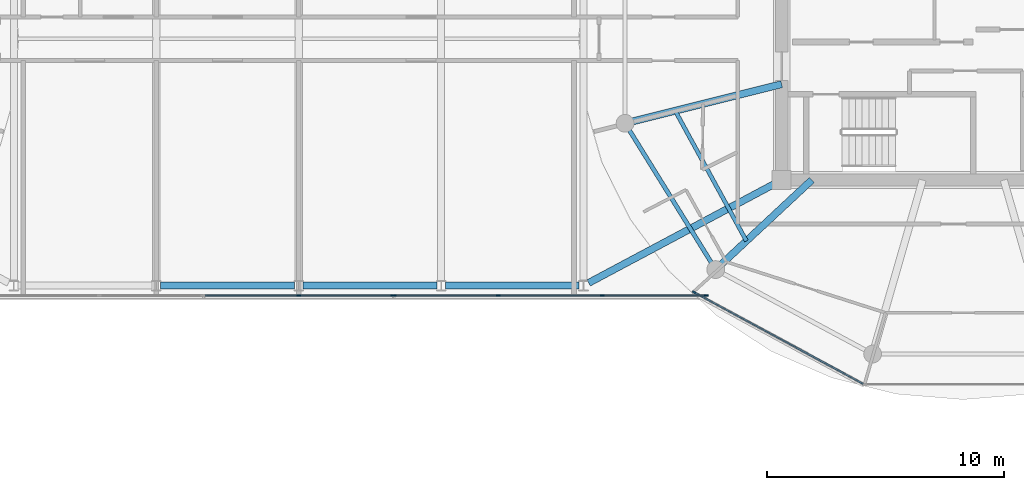
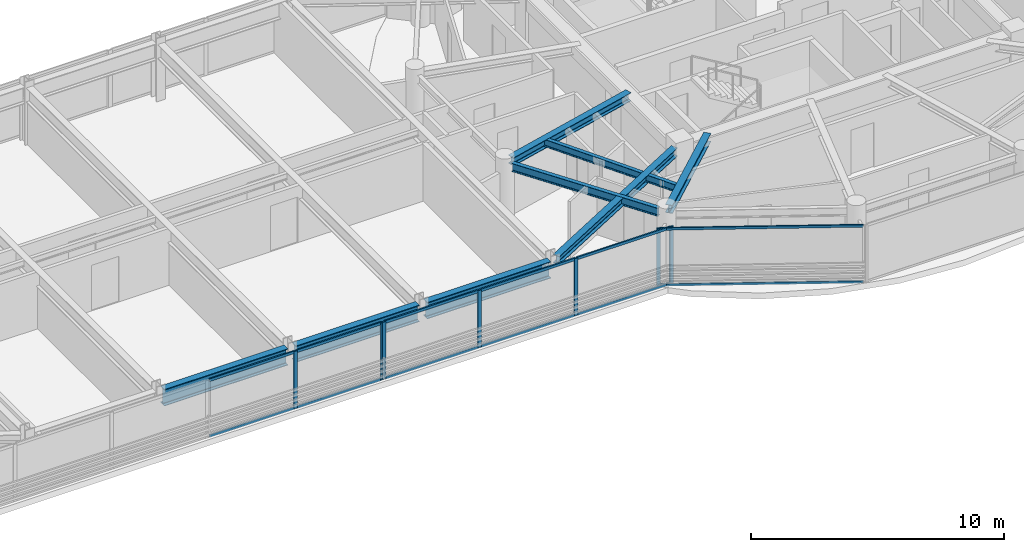
# One storey, part 6 of 24: 19 members, 8 beams, 3 elements without a shape of their own.
"""IFC4 building model written with IfcOpenShell, lengths in metres."""

from ifc_helpers import new_model, si_unit, direction, frame, origin, origin_2d, place, context, subcontext, project, spatial, rectangle, i_section, extrude, source, transform, mapped, material, layer, layer_set, material_profile, profile_set, type_object, type_shapes, element, aggregate, save


model = new_model("IFC4")

# Units and contexts
model_context = context("Model", 3, precision=1e-05, world=origin(), true_north=direction((0.0, 1.0)))
body_context = subcontext(model_context, "Body", "Model", "MODEL_VIEW")
ifc_project = project(units=[si_unit("LENGTHUNIT", "METRE"), si_unit("AREAUNIT", "SQUARE_METRE"), si_unit("VOLUMEUNIT", "CUBIC_METRE"), si_unit("PLANEANGLEUNIT", "RADIAN"), si_unit("MASSUNIT", "GRAM", prefix="KILO")], contexts=[model_context])

# Site, building, storey
site_placement = place(None, origin())
site = spatial("IfcSite", under=ifc_project, at=site_placement, CompositionType="ELEMENT")
building_placement = place(site_placement, origin())
building = spatial("IfcBuilding", under=site, at=building_placement, Name="Norrkilde Senior Care Towers", CompositionType="ELEMENT")
storey_placement = place(building_placement, frame((0.0, 0.0, 223.050048828125)))
storey = spatial("IfcBuildingStorey", under=building, at=storey_placement, Name="L69", CompositionType="ELEMENT", Elevation=223.050048828125)

# Beams
ifc_material_1 = material(Name="Steel S355", Category="steel")
ifc_material_profile_1 = material_profile(ifc_material_1, i_section(OverallWidth=0.179931640625, OverallDepth=0.39990234375, WebThickness=0.008544921875, FlangeThickness=0.013427734375, FilletRadius=0.02099609375, at=origin_2d()), Name="IPE 400")
ifc_profile_set_1 = profile_set([ifc_material_profile_1], Name="Steel S355")
beam_type_1 = type_object("IfcBeamType", Name="Perimeter Ring Spandrel Z4 IPE400", PredefinedType="SPANDREL", material=ifc_profile_set_1)
shared_shape_1 = source(origin(), body_context, "Body", "SweptSolid", [
    extrude(i_section(OverallWidth=0.179931640625, OverallDepth=0.39990234375, WebThickness=0.008544921875, FlangeThickness=0.013427734375, FilletRadius=0.02099609375, at=origin_2d()), origin(), (0.0, 0.0, 1.0), 6.58056640625),
])
type_shapes(beam_type_1, [shared_shape_1])
beam_1_placement = place(storey_placement, frame((13.928955078125, -3.843505859375, 2.56005859375), z_axis=(0.526529583789, -0.850156807533, 0.0), x_axis=(0.850156807533, 0.526529583789, 0.0)))
element("IfcBeam", 1, at=beam_1_placement, inside=storey, type_object=beam_type_1, Name="L69 Drum E Perimeter Spandrel 07", PredefinedType="SPANDREL", context=body_context, shape_type="MappedRepresentation", body=[
    mapped(shared_shape_1, transform((0.0, 0.0, 0.0), x_axis=(1.0, 0.0, 0.0), y_axis=(0.0, 1.0, 0.0), z_axis=(0.0, 0.0, 1.0), scale=1.0)),
])
ifc_material_profile_2 = material_profile(ifc_material_1, i_section(OverallWidth=0.300048828125, OverallDepth=0.39990234375, WebThickness=0.013427734375, FlangeThickness=0.02392578125, FilletRadius=0.027099609375, at=origin_2d()), Name="HEB 400")
ifc_profile_set_2 = profile_set([ifc_material_profile_2], Name="Steel S355")
beam_type_2 = type_object("IfcBeamType", Name="Radial Floor Beam Z4 HEB400", PredefinedType="BEAM", material=ifc_profile_set_2)
shared_shape_2 = source(origin(), body_context, "Body", "SweptSolid", [
    extrude(i_section(OverallWidth=0.300048828125, OverallDepth=0.39990234375, WebThickness=0.013427734375, FlangeThickness=0.02392578125, FilletRadius=0.027099609375, at=origin_2d()), origin(), (0.0, 0.0, 1.0), 6.465087890625),
])
beam_2_placement = place(storey_placement, frame((20.35009765625, -1.910888671875, 2.56005859375), z_axis=(-0.970195788563, -0.242322371758, 0.0), x_axis=(0.242322371758, -0.970195788563, 0.0)))
element("IfcBeam", 2, at=beam_2_placement, inside=storey, type_object=beam_type_2, Name="L69 Drum E Radial Floor Beam 07", PredefinedType="BEAM", context=body_context, shape_type="MappedRepresentation", body=[
    mapped(shared_shape_2, transform((0.0, 0.0, 0.0), x_axis=(1.0, 0.0, 0.0), y_axis=(0.0, 1.0, 0.0), z_axis=(0.0, 0.0, 1.0), scale=1.0)),
])
shared_shape_3 = source(origin(), body_context, "Body", "SweptSolid", [
    extrude(i_section(OverallWidth=0.300048828125, OverallDepth=0.39990234375, WebThickness=0.013427734375, FlangeThickness=0.02392578125, FilletRadius=0.027099609375, at=origin_2d()), origin(), (0.0, 0.0, 1.0), 5.197998046875),
])
beam_3_placement = place(storey_placement, frame((21.6171875, -5.949951171875, 2.56005859375), z_axis=(-0.731448749334, -0.681896419625, 0.0), x_axis=(0.681896419625, -0.731448749334, 0.0)))
element("IfcBeam", 3, at=beam_3_placement, inside=storey, type_object=beam_type_2, Name="L69 Drum E Radial Floor Beam 08", PredefinedType="BEAM", context=body_context, shape_type="MappedRepresentation", body=[
    mapped(shared_shape_3, transform((0.0, 0.0, 0.0), x_axis=(1.0, 0.0, 0.0), y_axis=(0.0, 1.0, 0.0), z_axis=(0.0, 0.0, 1.0), scale=1.0)),
])
ifc_material_profile_3 = material_profile(ifc_material_1, i_section(OverallWidth=0.169921875, OverallDepth=0.360107421875, WebThickness=0.008056640625, FlangeThickness=0.0126953125, FilletRadius=0.01806640625, at=origin_2d()), Name="IPE 360")
ifc_profile_set_3 = profile_set([ifc_material_profile_3], Name="Steel S355")
beam_type_3 = type_object("IfcBeamType", Name="Secondary Floor Joist IPE360", PredefinedType="JOIST", material=ifc_profile_set_3)
shared_shape_4 = source(origin(), body_context, "Body", "SweptSolid", [
    extrude(i_section(OverallWidth=0.169921875, OverallDepth=0.360107421875, WebThickness=0.008056640625, FlangeThickness=0.0126953125, FilletRadius=0.01806640625, at=origin_2d()), origin(), (0.0, 0.0, 1.0), 6.25146484375),
])
type_shapes(beam_type_3, [shared_shape_4])
beam_4_placement = place(storey_placement, frame((15.86376953125, -3.031494140625, 2.579833984375), z_axis=(0.480115752653, -0.877205143655, 0.0), x_axis=(0.877205143655, 0.480115752653, 0.0)))
element("IfcBeam", 4, at=beam_4_placement, inside=storey, type_object=beam_type_3, Name="L69 Drum E Secondary Floor Joist 3", PredefinedType="JOIST", context=body_context, shape_type="MappedRepresentation", body=[
    mapped(shared_shape_4, transform((0.0, 0.0, 0.0), x_axis=(1.0, 0.0, 0.0), y_axis=(0.0, 1.0, 0.0), z_axis=(0.0, 0.0, 1.0), scale=1.0)),
])
shared_shape_5 = source(origin(), body_context, "Body", "SweptSolid", [
    extrude(i_section(OverallWidth=0.300048828125, OverallDepth=0.39990234375, WebThickness=0.013427734375, FlangeThickness=0.02392578125, FilletRadius=0.027099609375, at=origin_2d()), origin(), (0.0, 0.0, 1.0), 8.831787109375),
])
type_shapes(beam_type_2, [shared_shape_2, shared_shape_3, shared_shape_5])
beam_5_placement = place(storey_placement, frame((12.220703125, -10.282470703125, 2.56005859375), z_axis=(0.882492172381, 0.470327083727, 0.0), x_axis=(-0.470327083727, 0.882492172381, 0.0)))
element("IfcBeam", 5, at=beam_5_placement, inside=storey, type_object=beam_type_2, Name="L69 Sky-Gate Bridge Girder S6", PredefinedType="BEAM", context=body_context, shape_type="MappedRepresentation", body=[
    mapped(shared_shape_5, transform((0.0, 0.0, 0.0), x_axis=(1.0, 0.0, 0.0), y_axis=(0.0, 1.0, 0.0), z_axis=(0.0, 0.0, 1.0), scale=1.0)),
])
ifc_material_profile_4 = material_profile(ifc_material_1, i_section(OverallWidth=0.300048828125, OverallDepth=0.800048828125, WebThickness=0.017578125, FlangeThickness=0.032958984375, FilletRadius=0.030029296875, at=origin_2d()), Name="HEB 800")
ifc_profile_set_4 = profile_set([ifc_material_profile_4], Name="Steel S355")
beam_type_4 = type_object("IfcBeamType", Name="Bridge Floor Girder HEB800", PredefinedType="USERDEFINED", material=ifc_profile_set_4)
shared_shape_6 = source(origin(), body_context, "Body", "SweptSolid", [
    extrude(i_section(OverallWidth=0.300048828125, OverallDepth=0.800048828125, WebThickness=0.017578125, FlangeThickness=0.032958984375, FilletRadius=0.030029296875, at=origin_2d()), origin(), (0.0, 0.0, 1.0), 5.64013671875),
])
type_shapes(beam_type_4, [shared_shape_6])
for number, where, z_axis, x_axis, name in (
    (6, (-5.820068359375, -10.39990234375, 2.35986328125), (1.0, 0.0, 0.0), (0.0, 1.0, 0.0), "L69 Sky-Gate Bridge Girder S3"),
    (7, (0.179931640625, -10.39990234375, 2.35986328125), (1.0, 0.0, 0.0), (0.0, 1.0, 0.0), "L69 Sky-Gate Bridge Girder S4"),
    (8, (6.179931640625, -10.39990234375, 2.35986328125), (1.0, 0.0, 0.0), (0.0, 1.0, 0.0), "L69 Sky-Gate Bridge Girder S5"),
):
    element("IfcBeam", number, at=place(storey_placement, frame(where, z_axis=z_axis, x_axis=x_axis)), inside=storey, type_object=beam_type_4, Name=name, ObjectType="GIRDER", PredefinedType="USERDEFINED", context=body_context, shape_type="MappedRepresentation", body=[
        mapped(shared_shape_6, transform((0.0, 0.0, 0.0), x_axis=(1.0, 0.0, 0.0), y_axis=(0.0, 1.0, 0.0), z_axis=(0.0, 0.0, 1.0), scale=1.0)),
    ])

# Curtain wall, members
ifc_material_2 = material(Name="Triple Low-E Insulated Glazing", Category="glass")
ifc_layer_1 = layer(ifc_material_2, 0.18505859375)
ifc_layer_set_1 = layer_set([ifc_layer_1], Name="Triple Low-E Insulated Glazing")
curtain_wall_type_1 = type_object("IfcCurtainWallType", Name="CW6 Zone 4 Crown Pavilion Curtain Wall", PredefinedType="NOTDEFINED", material=ifc_layer_set_1)
curtain_wall_1_placement = place(storey_placement, origin())
curtain_wall_1 = element("IfcCurtainWall", 9, at=curtain_wall_1_placement, inside=storey, type_object=curtain_wall_type_1, Name="L69 Drum E Curtain Wall 07", PredefinedType="NOTDEFINED")
ifc_material_3 = material(Name="Anodised Aluminium", Category="aluminium")
ifc_material_profile_5 = material_profile(ifc_material_3, rectangle(XDim=0.06005859375, YDim=0.1201171875, at=origin_2d()), Name="ALU TRAN 60x120")
ifc_profile_set_5 = profile_set([ifc_material_profile_5], Name="Anodised Aluminium")
member_type_1 = type_object("IfcMemberType", Name="Curtain Wall Transom Typical 60x120", PredefinedType="USERDEFINED", material=ifc_profile_set_5)
shared_shape_7 = source(origin(), body_context, "Body", "SweptSolid", [
    extrude(rectangle(XDim=0.06005859375, YDim=0.1201171875, at=origin_2d()), origin(), (0.0, 0.0, 1.0), 8.0673828125),
])
type_shapes(member_type_1, [shared_shape_7])
member_1_placement = place(storey_placement, frame((23.781005859375, -14.53515625, 0.030029296875), z_axis=(-0.87937750072, 0.476125205411, 0.0), x_axis=(-0.476125205411, -0.87937750072, 0.0)))
member_1 = element("IfcMember", 10, at=member_1_placement, type_object=member_type_1, Name="CW-6 transom 1.1", ObjectType="TRANSOM", PredefinedType="USERDEFINED", context=body_context, shape_type="MappedRepresentation", body=[
    mapped(shared_shape_7, transform((0.0, 0.0, 0.0), x_axis=(1.0, 0.0, 0.0), y_axis=(0.0, 1.0, 0.0), z_axis=(0.0, 0.0, 1.0), scale=1.0)),
])
member_2_placement = place(storey_placement, frame((23.781005859375, -14.53515625, 2.72998046875), z_axis=(-0.87937750072, 0.476125205411, 0.0), x_axis=(-0.476125205411, -0.87937750072, 0.0)))
member_2 = element("IfcMember", 11, at=member_2_placement, type_object=member_type_1, Name="CW-6 transom 1.2", ObjectType="TRANSOM", PredefinedType="USERDEFINED", context=body_context, shape_type="MappedRepresentation", body=[
    mapped(shared_shape_7, transform((0.0, 0.0, 0.0), x_axis=(1.0, 0.0, 0.0), y_axis=(0.0, 1.0, 0.0), z_axis=(0.0, 0.0, 1.0), scale=1.0)),
])
ifc_material_profile_6 = material_profile(ifc_material_3, rectangle(XDim=0.06494140625, YDim=0.14990234375, at=origin_2d()), Name="ALU MULL 65x150")
ifc_profile_set_6 = profile_set([ifc_material_profile_6], Name="Anodised Aluminium")
member_type_2 = type_object("IfcMemberType", Name="Curtain Wall Mullion Z3-Z4 65x150", PredefinedType="MULLION", material=ifc_profile_set_6)
shared_shape_8 = source(origin(), body_context, "Body", "SweptSolid", [
    extrude(rectangle(XDim=0.06494140625, YDim=0.14990234375, at=origin_2d()), origin(), (0.0, 0.0, 1.0), 2.760009765625),
])
type_shapes(member_type_2, [shared_shape_8])
member_3_placement = place(storey_placement, frame((16.658203125, -10.6787109375, 0.0), z_axis=(0.0, 0.0, 1.0), x_axis=(-0.476132676136, -0.879373455772, 0.0)))
member_3 = element("IfcMember", 12, at=member_3_placement, type_object=member_type_2, Name="CW-6 mullion 2", PredefinedType="MULLION", context=body_context, shape_type="MappedRepresentation", body=[
    mapped(shared_shape_8, transform((0.0, 0.0, 0.0), x_axis=(1.0, 0.0, 0.0), y_axis=(0.0, 1.0, 0.0), z_axis=(0.0, 0.0, 1.0), scale=1.0)),
])
aggregate(curtain_wall_1, [member_3, member_1, member_2])

ifc_layer_2 = layer(ifc_material_2, 0.2099609375)
ifc_layer_set_2 = layer_set([ifc_layer_2], Name="Triple Low-E Insulated Glazing")
curtain_wall_type_2 = type_object("IfcCurtainWallType", Name="CW5 Sky-Gate Bridge Curtain Wall", PredefinedType="NOTDEFINED", material=ifc_layer_set_2)
curtain_wall_2_placement = place(storey_placement, origin())
curtain_wall_2 = element("IfcCurtainWall", 13, at=curtain_wall_2_placement, inside=storey, type_object=curtain_wall_type_2, Name="L69 Sky-Gate Bridge South Curtain Wall 1", PredefinedType="NOTDEFINED")
ifc_material_profile_7 = material_profile(ifc_material_3, rectangle(XDim=0.06494140625, YDim=0.1298828125, at=origin_2d()), Name="ALU TRAN 65x130")
ifc_profile_set_7 = profile_set([ifc_material_profile_7], Name="Anodised Aluminium")
member_type_3 = type_object("IfcMemberType", Name="Curtain Wall Transom Heavy 65x130", PredefinedType="USERDEFINED", material=ifc_profile_set_7)
shared_shape_9 = source(origin(), body_context, "Body", "SweptSolid", [
    extrude(rectangle(XDim=0.06494140625, YDim=0.1298828125, at=origin_2d()), origin(), (0.0, 0.0, 1.0), 4.294921875),
])
member_4_placement = place(storey_placement, frame((17.1298828125, -10.820068359375, 0.032470703125), z_axis=(-1.0, 0.0, 0.0), x_axis=(0.0, -1.0, 0.0)))
member_4 = element("IfcMember", 14, at=member_4_placement, type_object=member_type_3, Name="CW-5 transom 1.1", ObjectType="TRANSOM", PredefinedType="USERDEFINED", context=body_context, shape_type="MappedRepresentation", body=[
    mapped(shared_shape_9, transform((0.0, 0.0, 0.0), x_axis=(1.0, 0.0, 0.0), y_axis=(0.0, 1.0, 0.0), z_axis=(0.0, 0.0, 1.0), scale=1.0)),
])
member_5_placement = place(storey_placement, frame((17.1298828125, -10.820068359375, 2.7275390625), z_axis=(-1.0, 0.0, 0.0), x_axis=(0.0, -1.0, 0.0)))
member_5 = element("IfcMember", 15, at=member_5_placement, type_object=member_type_3, Name="CW-5 transom 1.2", ObjectType="TRANSOM", PredefinedType="USERDEFINED", context=body_context, shape_type="MappedRepresentation", body=[
    mapped(shared_shape_9, transform((0.0, 0.0, 0.0), x_axis=(1.0, 0.0, 0.0), y_axis=(0.0, 1.0, 0.0), z_axis=(0.0, 0.0, 1.0), scale=1.0)),
])
member_6_placement = place(storey_placement, frame((8.364990234375, -10.820068359375, 0.032470703125), z_axis=(-1.0, 0.0, 0.0), x_axis=(0.0, -1.0, 0.0)))
member_6 = element("IfcMember", 16, at=member_6_placement, type_object=member_type_3, Name="CW-5 transom 3.1", ObjectType="TRANSOM", PredefinedType="USERDEFINED", context=body_context, shape_type="MappedRepresentation", body=[
    mapped(shared_shape_9, transform((0.0, 0.0, 0.0), x_axis=(1.0, 0.0, 0.0), y_axis=(0.0, 1.0, 0.0), z_axis=(0.0, 0.0, 1.0), scale=1.0)),
])
member_7_placement = place(storey_placement, frame((8.364990234375, -10.820068359375, 2.7275390625), z_axis=(-1.0, 0.0, 0.0), x_axis=(0.0, -1.0, 0.0)))
member_7 = element("IfcMember", 17, at=member_7_placement, type_object=member_type_3, Name="CW-5 transom 3.2", ObjectType="TRANSOM", PredefinedType="USERDEFINED", context=body_context, shape_type="MappedRepresentation", body=[
    mapped(shared_shape_9, transform((0.0, 0.0, 0.0), x_axis=(1.0, 0.0, 0.0), y_axis=(0.0, 1.0, 0.0), z_axis=(0.0, 0.0, 1.0), scale=1.0)),
])
shared_shape_10 = source(origin(), body_context, "Body", "SweptSolid", [
    extrude(rectangle(XDim=0.06494140625, YDim=0.1298828125, at=origin_2d()), origin(), (0.0, 0.0, 1.0), 4.329833984375),
])
member_8_placement = place(storey_placement, frame((12.764892578125, -10.820068359375, 0.032470703125), z_axis=(-1.0, 0.0, 0.0), x_axis=(0.0, -1.0, 0.0)))
member_8 = element("IfcMember", 18, at=member_8_placement, type_object=member_type_3, Name="CW-5 transom 2.1", ObjectType="TRANSOM", PredefinedType="USERDEFINED", context=body_context, shape_type="MappedRepresentation", body=[
    mapped(shared_shape_10, transform((0.0, 0.0, 0.0), x_axis=(1.0, 0.0, 0.0), y_axis=(0.0, 1.0, 0.0), z_axis=(0.0, 0.0, 1.0), scale=1.0)),
])
member_9_placement = place(storey_placement, frame((12.764892578125, -10.820068359375, 2.7275390625), z_axis=(-1.0, 0.0, 0.0), x_axis=(0.0, -1.0, 0.0)))
member_9 = element("IfcMember", 19, at=member_9_placement, type_object=member_type_3, Name="CW-5 transom 2.2", ObjectType="TRANSOM", PredefinedType="USERDEFINED", context=body_context, shape_type="MappedRepresentation", body=[
    mapped(shared_shape_10, transform((0.0, 0.0, 0.0), x_axis=(1.0, 0.0, 0.0), y_axis=(0.0, 1.0, 0.0), z_axis=(0.0, 0.0, 1.0), scale=1.0)),
])

curtain_wall_3_placement = place(storey_placement, origin())
curtain_wall_3 = element("IfcCurtainWall", 20, at=curtain_wall_3_placement, inside=storey, type_object=curtain_wall_type_2, Name="L69 Sky-Gate Bridge South Curtain Wall 2", PredefinedType="NOTDEFINED")
shared_shape_11 = source(origin(), body_context, "Body", "SweptSolid", [
    extrude(rectangle(XDim=0.06494140625, YDim=0.1298828125, at=origin_2d()), origin(), (0.0, 0.0, 1.0), 3.89501953125),
])
type_shapes(member_type_3, [shared_shape_9, shared_shape_10, shared_shape_11])
member_10_placement = place(storey_placement, frame((3.929931640625, -10.820068359375, 0.032470703125), z_axis=(-1.0, 0.0, 0.0), x_axis=(0.0, -1.0, 0.0)))
member_10 = element("IfcMember", 21, at=member_10_placement, type_object=member_type_3, Name="CW-5 transom 1.1", ObjectType="TRANSOM", PredefinedType="USERDEFINED", context=body_context, shape_type="MappedRepresentation", body=[
    mapped(shared_shape_11, transform((0.0, 0.0, 0.0), x_axis=(1.0, 0.0, 0.0), y_axis=(0.0, 1.0, 0.0), z_axis=(0.0, 0.0, 1.0), scale=1.0)),
])
member_11_placement = place(storey_placement, frame((3.929931640625, -10.820068359375, 2.7275390625), z_axis=(-1.0, 0.0, 0.0), x_axis=(0.0, -1.0, 0.0)))
member_11 = element("IfcMember", 22, at=member_11_placement, type_object=member_type_3, Name="CW-5 transom 1.2", ObjectType="TRANSOM", PredefinedType="USERDEFINED", context=body_context, shape_type="MappedRepresentation", body=[
    mapped(shared_shape_11, transform((0.0, 0.0, 0.0), x_axis=(1.0, 0.0, 0.0), y_axis=(0.0, 1.0, 0.0), z_axis=(0.0, 0.0, 1.0), scale=1.0)),
])
member_12_placement = place(storey_placement, frame((-0.034912109375, -10.820068359375, 0.032470703125), z_axis=(-1.0, 0.0, 0.0), x_axis=(0.0, -1.0, 0.0)))
member_12 = element("IfcMember", 23, at=member_12_placement, type_object=member_type_3, Name="CW-5 transom 2.1", ObjectType="TRANSOM", PredefinedType="USERDEFINED", context=body_context, shape_type="MappedRepresentation", body=[
    mapped(shared_shape_11, transform((0.0, 0.0, 0.0), x_axis=(1.0, 0.0, 0.0), y_axis=(0.0, 1.0, 0.0), z_axis=(0.0, 0.0, 1.0), scale=1.0)),
])
member_13_placement = place(storey_placement, frame((-0.034912109375, -10.820068359375, 2.7275390625), z_axis=(-1.0, 0.0, 0.0), x_axis=(0.0, -1.0, 0.0)))
member_13 = element("IfcMember", 24, at=member_13_placement, type_object=member_type_3, Name="CW-5 transom 2.2", ObjectType="TRANSOM", PredefinedType="USERDEFINED", context=body_context, shape_type="MappedRepresentation", body=[
    mapped(shared_shape_11, transform((0.0, 0.0, 0.0), x_axis=(1.0, 0.0, 0.0), y_axis=(0.0, 1.0, 0.0), z_axis=(0.0, 0.0, 1.0), scale=1.0)),
])

# Member
ifc_material_profile_8 = material_profile(ifc_material_3, rectangle(XDim=0.070068359375, YDim=0.169921875, at=origin_2d()), Name="ALU MULL 70x170")
ifc_profile_set_8 = profile_set([ifc_material_profile_8], Name="Anodised Aluminium")
member_type_4 = type_object("IfcMemberType", Name="Curtain Wall Mullion Heavy 70x170", PredefinedType="MULLION", material=ifc_profile_set_8)
shared_shape_12 = source(origin(), body_context, "Body", "SweptSolid", [
    extrude(rectangle(XDim=0.070068359375, YDim=0.169921875, at=origin_2d()), origin(), (0.0, 0.0, 1.0), 2.760009765625),
])
type_shapes(member_type_4, [shared_shape_12])
member_14_placement = place(storey_placement, frame((17.1650390625, -10.820068359375, 0.0), z_axis=(0.0, 0.0, 1.0), x_axis=(0.0, -1.0, 0.0)))
member_14 = element("IfcMember", 25, at=member_14_placement, type_object=member_type_4, Name="CW-5 mullion 1", PredefinedType="MULLION", context=body_context, shape_type="MappedRepresentation", body=[
    mapped(shared_shape_12, transform((0.0, 0.0, 0.0), x_axis=(1.0, 0.0, 0.0), y_axis=(0.0, 1.0, 0.0), z_axis=(0.0, 0.0, 1.0), scale=1.0)),
])

member_15_placement = place(storey_placement, frame((12.800048828125, -10.820068359375, 0.0), z_axis=(0.0, 0.0, 1.0), x_axis=(0.0, -1.0, 0.0)))
member_15 = element("IfcMember", 26, at=member_15_placement, type_object=member_type_4, Name="CW-5 mullion 2", PredefinedType="MULLION", context=body_context, shape_type="MappedRepresentation", body=[
    mapped(shared_shape_12, transform((0.0, 0.0, 0.0), x_axis=(1.0, 0.0, 0.0), y_axis=(0.0, 1.0, 0.0), z_axis=(0.0, 0.0, 1.0), scale=1.0)),
])

member_16_placement = place(storey_placement, frame((8.39990234375, -10.820068359375, 0.0), z_axis=(0.0, 0.0, 1.0), x_axis=(0.0, -1.0, 0.0)))
member_16 = element("IfcMember", 27, at=member_16_placement, type_object=member_type_4, Name="CW-5 mullion 3", PredefinedType="MULLION", context=body_context, shape_type="MappedRepresentation", body=[
    mapped(shared_shape_12, transform((0.0, 0.0, 0.0), x_axis=(1.0, 0.0, 0.0), y_axis=(0.0, 1.0, 0.0), z_axis=(0.0, 0.0, 1.0), scale=1.0)),
])

member_17_placement = place(storey_placement, frame((4.034912109375, -10.820068359375, 0.0), z_axis=(0.0, 0.0, 1.0), x_axis=(0.0, -1.0, 0.0)))
member_17 = element("IfcMember", 28, at=member_17_placement, type_object=member_type_4, Name="CW-5 mullion 4", PredefinedType="MULLION", context=body_context, shape_type="MappedRepresentation", body=[
    mapped(shared_shape_12, transform((0.0, 0.0, 0.0), x_axis=(1.0, 0.0, 0.0), y_axis=(0.0, 1.0, 0.0), z_axis=(0.0, 0.0, 1.0), scale=1.0)),
])

aggregate(curtain_wall_2, [member_14, member_15, member_16, member_17, member_4, member_5, member_8, member_9, member_6, member_7])

member_18_placement = place(storey_placement, frame((3.965087890625, -10.820068359375, 0.0), z_axis=(0.0, 0.0, 1.0), x_axis=(0.0, -1.0, 0.0)))
member_18 = element("IfcMember", 29, at=member_18_placement, type_object=member_type_4, Name="CW-5 mullion 1", PredefinedType="MULLION", context=body_context, shape_type="MappedRepresentation", body=[
    mapped(shared_shape_12, transform((0.0, 0.0, 0.0), x_axis=(1.0, 0.0, 0.0), y_axis=(0.0, 1.0, 0.0), z_axis=(0.0, 0.0, 1.0), scale=1.0)),
])

member_19_placement = place(storey_placement, frame((0.0, -10.820068359375, 0.0), z_axis=(0.0, 0.0, 1.0), x_axis=(0.0, -1.0, 0.0)))
member_19 = element("IfcMember", 30, at=member_19_placement, type_object=member_type_4, Name="CW-5 mullion 2", PredefinedType="MULLION", context=body_context, shape_type="MappedRepresentation", body=[
    mapped(shared_shape_12, transform((0.0, 0.0, 0.0), x_axis=(1.0, 0.0, 0.0), y_axis=(0.0, 1.0, 0.0), z_axis=(0.0, 0.0, 1.0), scale=1.0)),
])

aggregate(curtain_wall_3, [member_18, member_19, member_10, member_11, member_12, member_13])

save(model, "model.ifc")
